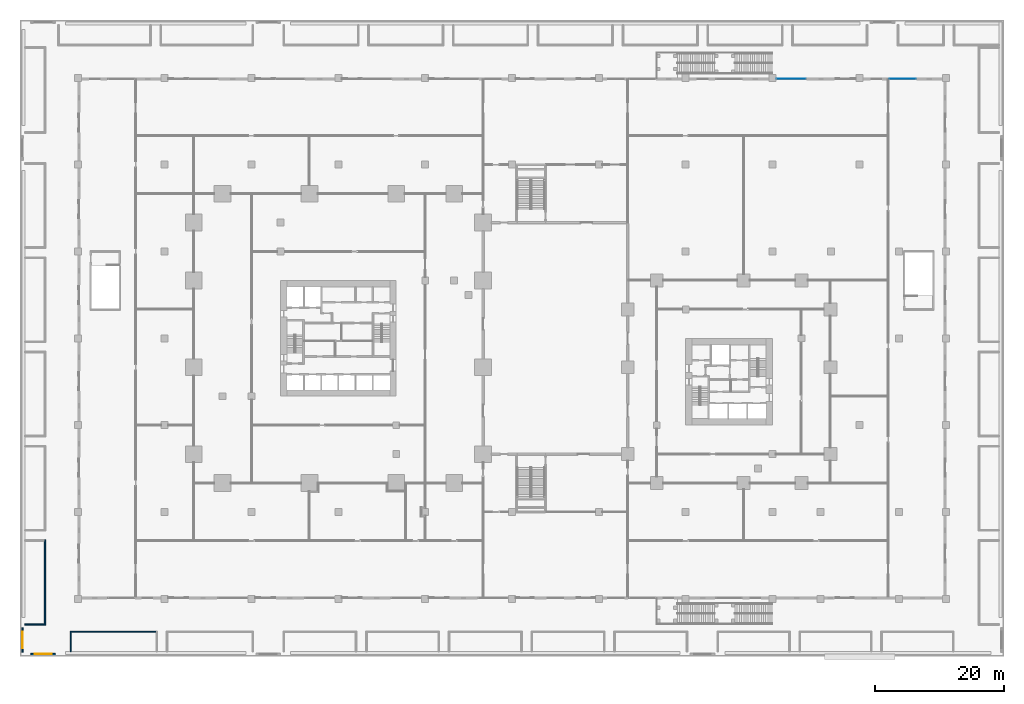
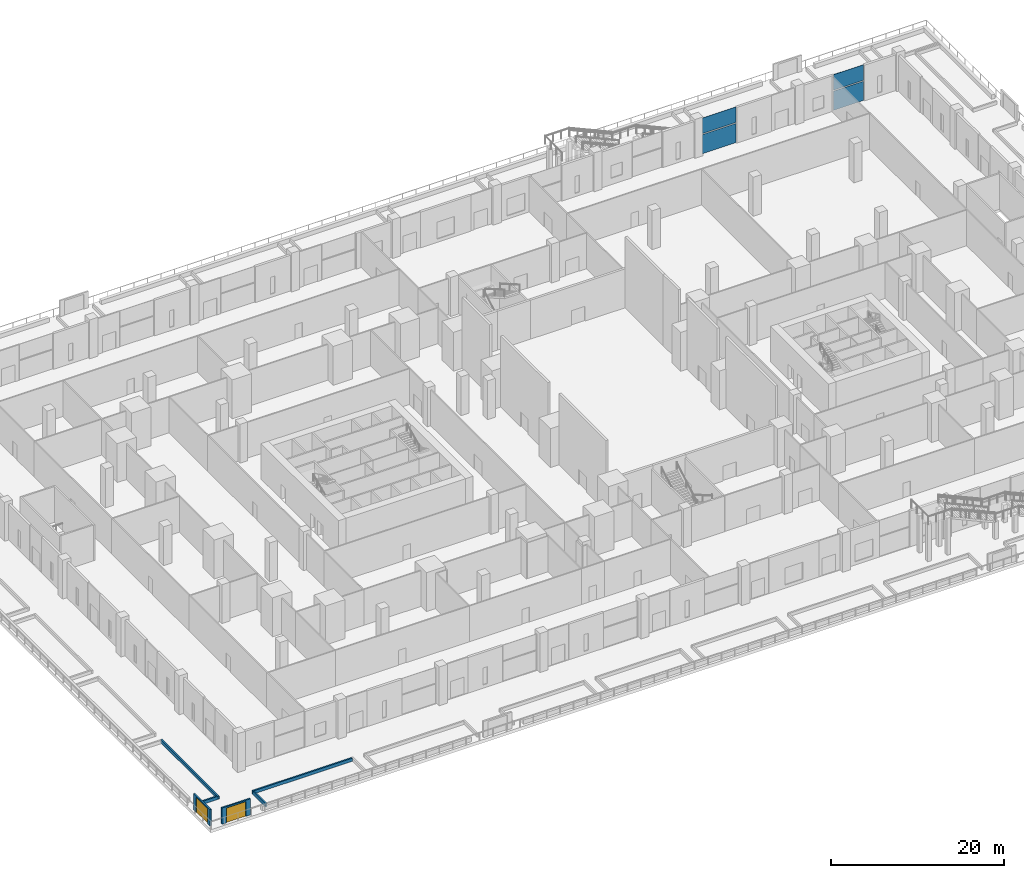
# One storey, part 19 of 47: 6 walls, 4 plates, 2 doors, 2 openings, 2 elements without a shape of their own.
"""IFC4 building model written with IfcOpenShell, lengths in metres."""

from ifc_helpers import new_model, si_unit, direction, frame, frame_2d, origin, origin_2d, place, context, subcontext, project, spatial, rectangle, extrude, material, layer, layer_set, type_object, element, fill, aggregate, save


model = new_model("IFC4")

# Units and contexts
model_context = context("Model", 3, precision=1e-05, world=origin(), true_north=direction((0.0, 1.0)))
body_context = subcontext(model_context, "Body", "Model", "MODEL_VIEW")
ifc_project = project(units=[si_unit("LENGTHUNIT", "METRE"), si_unit("AREAUNIT", "SQUARE_METRE"), si_unit("VOLUMEUNIT", "CUBIC_METRE"), si_unit("PLANEANGLEUNIT", "RADIAN"), si_unit("MASSUNIT", "GRAM", prefix="KILO")], contexts=[model_context])

# Site, building, storey
site_placement = place(None, origin())
site = spatial("IfcSite", under=ifc_project, at=site_placement, CompositionType="ELEMENT")
building_placement = place(site_placement, origin())
building = spatial("IfcBuilding", under=site, at=building_placement, Name="Altepetl Exchange Towers", CompositionType="ELEMENT")
storey_placement = place(building_placement, frame((0.0, 0.0, 6.0)))
storey = spatial("IfcBuildingStorey", under=building, at=storey_placement, Name="L01 Retail podium", CompositionType="ELEMENT", Elevation=6.0)

# Curtain wall, plates
ifc_material_1 = material(Name="Aluminium 6063-T6 glazing", Category="aluminium")
curtain_wall_type = type_object("IfcCurtainWallType", Name="Podium storefront system", PredefinedType="NOTDEFINED", material=ifc_material_1)
curtain_wall_1_placement = place(storey_placement, origin())
curtain_wall_1 = element("IfcCurtainWall", 1, at=curtain_wall_1_placement, inside=storey, type_object=curtain_wall_type, Name="CW5 run", PredefinedType="NOTDEFINED")
ifc_material_2 = material(Name="Glass 8-16-8 toughened", Category="glass")
ifc_layer_1 = layer(ifc_material_2, 0.031982421875)
ifc_layer_set_1 = layer_set([ifc_layer_1], Name="Glass 8-16-8 toughened")
plate_type = type_object("IfcPlateType", Name="Glass panel 32 storefront", PredefinedType="CURTAIN_PANEL", material=ifc_layer_set_1)
plate_1_placement = place(storey_placement, frame((137.25, 89.85009765625, 0.0), z_axis=(0.0, 0.0, 1.0), x_axis=(-1.0, 0.0, 0.0)))
plate_1 = element("IfcPlate", 2, at=plate_1_placement, type_object=plate_type, Name="GP4 panel", PredefinedType="CURTAIN_PANEL", context=body_context, shape_type="SweptSolid", body=[
    extrude(rectangle(XDim=3.97998046875, YDim=0.031982421875, at=origin_2d()), origin(), (0.0, 0.0, 1.0), 2.7099609375),
])
plate_2_placement = place(storey_placement, frame((137.25, 89.85009765625, 2.85009765625), z_axis=(0.0, 0.0, 1.0), x_axis=(-1.0, 0.0, 0.0)))
plate_2 = element("IfcPlate", 3, at=plate_2_placement, type_object=plate_type, Name="GP4 panel", PredefinedType="CURTAIN_PANEL", context=body_context, shape_type="SweptSolid", body=[
    extrude(rectangle(XDim=3.97998046875, YDim=0.031982421875, at=origin_2d()), origin(), (0.0, 0.0, 1.0), 2.199951171875),
])
aggregate(curtain_wall_1, [plate_1, plate_2])

curtain_wall_2_placement = place(storey_placement, origin())
curtain_wall_2 = element("IfcCurtainWall", 4, at=curtain_wall_2_placement, inside=storey, type_object=curtain_wall_type, Name="CW5 run", PredefinedType="NOTDEFINED")
plate_3_placement = place(storey_placement, frame((119.91259765625, 89.85009765625, 0.0), z_axis=(0.0, 0.0, 1.0), x_axis=(-1.0, 0.0, 0.0)))
plate_3 = element("IfcPlate", 5, at=plate_3_placement, type_object=plate_type, Name="GP4 panel", PredefinedType="CURTAIN_PANEL", context=body_context, shape_type="SweptSolid", body=[
    extrude(rectangle(XDim=4.5048828125, YDim=0.031982421875, at=origin_2d()), origin(), (0.0, 0.0, 1.0), 2.7099609375),
])
plate_4_placement = place(storey_placement, frame((119.91259765625, 89.85009765625, 2.85009765625), z_axis=(0.0, 0.0, 1.0), x_axis=(-1.0, 0.0, 0.0)))
plate_4 = element("IfcPlate", 6, at=plate_4_placement, type_object=plate_type, Name="GP4 panel", PredefinedType="CURTAIN_PANEL", context=body_context, shape_type="SweptSolid", body=[
    extrude(rectangle(XDim=4.5048828125, YDim=0.031982421875, at=origin_2d()), origin(), (0.0, 0.0, 1.0), 2.199951171875),
])
aggregate(curtain_wall_2, [plate_3, plate_4])

# Wall, opening, door
ifc_material_3 = material(Name="Reinforced concrete C35/45", Category="concrete")
ifc_layer_2 = layer(ifc_material_3, 0.199951171875)
ifc_layer_set_2 = layer_set([ifc_layer_2], Name="Reinforced concrete C35/45")
wall_type_1 = type_object("IfcWallType", Name="Garden gate screen wall 200", PredefinedType="SOLIDWALL", material=ifc_layer_set_2)
wall_1_placement = place(storey_placement, frame((1.699951171875, 0.39990234375, 0.0)))
wall_1 = element("IfcWall", 7, at=wall_1_placement, inside=storey, type_object=wall_type_1, Name="wall:P:L01:gateG1", PredefinedType="SOLIDWALL", context=body_context, shape_type="SweptSolid", body=[
    extrude(rectangle(XDim=3.800048828125, YDim=0.199951171875, at=frame_2d((1.89990234375, 0.0))), origin(), (0.0, 0.0, 1.0), 2.300048828125),
])
opening_1_placement = place(wall_1_placement, frame((0.60009765625, 0.0, 0.0)))
opening_1 = element("IfcOpeningElement", 8, at=opening_1_placement, cuts=wall_1, Name="Opening L01.P056", PredefinedType="OPENING", context=body_context, shape_type="SweptSolid", body=[
    extrude(rectangle(XDim=2.60009765625, YDim=2.10009765625, at=frame_2d((1.300048828125, 1.050048828125))), frame((0.0, 0.10986328125, 0.0), z_axis=(0.0, -1.0, 0.0), x_axis=(1.0, 0.0, 0.0)), (0.0, 0.0, 1.0), 0.219970703125),
])
ifc_material_4 = material(Name="Painted steel bars and timber", Category="steel")
door_type = type_object("IfcDoorType", Name="Garden gate 2600 x 2100 double leaf", OperationType="DOUBLE_DOOR_SINGLE_SWING", PredefinedType="GATE", material=ifc_material_4)
door_1_placement = place(opening_1_placement, frame((2.60009765625, 0.0, 0.0), x_axis=(-1.0, 0.0, 0.0)))
door_1 = element("IfcDoor", 9, at=door_1_placement, inside=storey, type_object=door_type, Name="door:P:L01:056", OperationType="DOUBLE_DOOR_SINGLE_SWING", OverallHeight=2.10009765625, OverallWidth=2.60009765625, PredefinedType="GATE", context=body_context, shape_type="SweptSolid", body=[
    extrude(rectangle(XDim=2.60009765625, YDim=2.10009765625, at=frame_2d((1.300048828125, 1.050048828125))), frame((0.0, 0.02490234375, 0.0), z_axis=(0.0, -1.0, 0.0), x_axis=(1.0, 0.0, 0.0)), (0.0, 0.0, 1.0), 0.050048828125),
])
fill(opening_1, door_1)

wall_2_placement = place(storey_placement, frame((0.39990234375, 0.699951171875, 0.0), z_axis=(0.0, 0.0, 1.0), x_axis=(0.0, 1.0, 0.0)))
wall_2 = element("IfcWall", 10, at=wall_2_placement, inside=storey, type_object=wall_type_1, Name="wall:P:L01:gateG9", PredefinedType="SOLIDWALL", context=body_context, shape_type="SweptSolid", body=[
    extrude(rectangle(XDim=3.800048828125, YDim=0.199951171875, at=frame_2d((1.89990234375, 0.0))), origin(), (0.0, 0.0, 1.0), 2.300048828125),
])
opening_2_placement = place(wall_2_placement, frame((0.60009765625, 0.0, 0.0)))
opening_2 = element("IfcOpeningElement", 11, at=opening_2_placement, cuts=wall_2, Name="Opening L01.P064", PredefinedType="OPENING", context=body_context, shape_type="SweptSolid", body=[
    extrude(rectangle(XDim=2.60009765625, YDim=2.10009765625, at=frame_2d((1.300048828125, 1.050048828125))), frame((0.0, 0.10986328125, 0.0), z_axis=(0.0, -1.0, 0.0), x_axis=(1.0, 0.0, 0.0)), (0.0, 0.0, 1.0), 0.219970703125),
])
door_2_placement = place(opening_2_placement, origin())
door_2 = element("IfcDoor", 12, at=door_2_placement, inside=storey, type_object=door_type, Name="door:P:L01:064", OperationType="DOUBLE_DOOR_SINGLE_SWING", OverallHeight=2.10009765625, OverallWidth=2.60009765625, PredefinedType="GATE", context=body_context, shape_type="SweptSolid", body=[
    extrude(rectangle(XDim=2.60009765625, YDim=2.10009765625, at=frame_2d((1.300048828125, 1.050048828125))), frame((0.0, 0.02490234375, 0.0), z_axis=(0.0, -1.0, 0.0), x_axis=(1.0, 0.0, 0.0)), (0.0, 0.0, 1.0), 0.050048828125),
])
fill(opening_2, door_2)

# Walls
ifc_layer_3 = layer(ifc_material_3, 0.199951171875)
ifc_layer_set_3 = layer_set([ifc_layer_3], Name="Reinforced concrete C35/45")
wall_type_2 = type_object("IfcWallType", Name="Planting bed curb 200", PredefinedType="SOLIDWALL", material=ifc_layer_set_3)
wall_3_placement = place(storey_placement, frame((7.800048828125, 3.875, 0.0)))
element("IfcWall", 13, at=wall_3_placement, inside=storey, type_object=wall_type_2, Name="wall:P:L01:CB09n", PredefinedType="SOLIDWALL", context=body_context, shape_type="SweptSolid", body=[
    extrude(rectangle(XDim=13.349853515625, YDim=0.199951171875, at=frame_2d((6.6748046875, 0.0))), origin(), (0.0, 0.0, 1.0), 0.449951171875),
])
wall_4_placement = place(storey_placement, frame((7.89990234375, 0.77490234375, 0.0), z_axis=(0.0, 0.0, 1.0), x_axis=(0.0, 1.0, 0.0)))
element("IfcWall", 14, at=wall_4_placement, inside=storey, type_object=wall_type_2, Name="wall:P:L01:CB09w", PredefinedType="SOLIDWALL", context=body_context, shape_type="SweptSolid", body=[
    extrude(rectangle(XDim=3.0, YDim=0.199951171875, at=frame_2d((1.5, 0.0))), origin(), (0.0, 0.0, 1.0), 0.449951171875),
])
wall_5_placement = place(storey_placement, frame((3.875, 4.89990234375, 0.0), z_axis=(0.0, 0.0, 1.0), x_axis=(0.0, 1.0, 0.0)))
element("IfcWall", 15, at=wall_5_placement, inside=storey, type_object=wall_type_2, Name="wall:P:L01:CB22e", PredefinedType="SOLIDWALL", context=body_context, shape_type="SweptSolid", body=[
    extrude(rectangle(XDim=13.260009765625, YDim=0.199951171875, at=frame_2d((6.6298828125, 0.0))), origin(), (0.0, 0.0, 1.0), 0.449951171875),
])
wall_6_placement = place(storey_placement, frame((0.77490234375, 5.0, 0.0)))
element("IfcWall", 16, at=wall_6_placement, inside=storey, type_object=wall_type_2, Name="wall:P:L01:CB22s", PredefinedType="SOLIDWALL", context=body_context, shape_type="SweptSolid", body=[
    extrude(rectangle(XDim=3.0, YDim=0.199951171875, at=frame_2d((1.5, 0.0))), origin(), (0.0, 0.0, 1.0), 0.449951171875),
])

save(model, "model.ifc")
